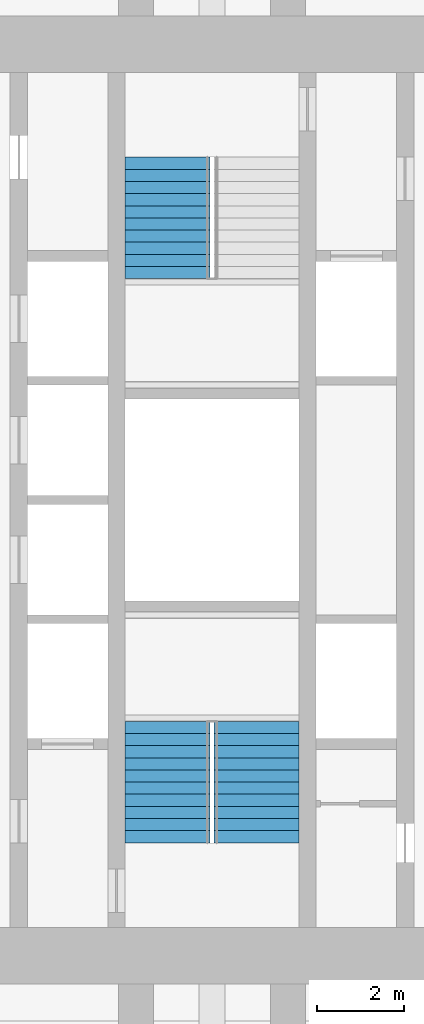
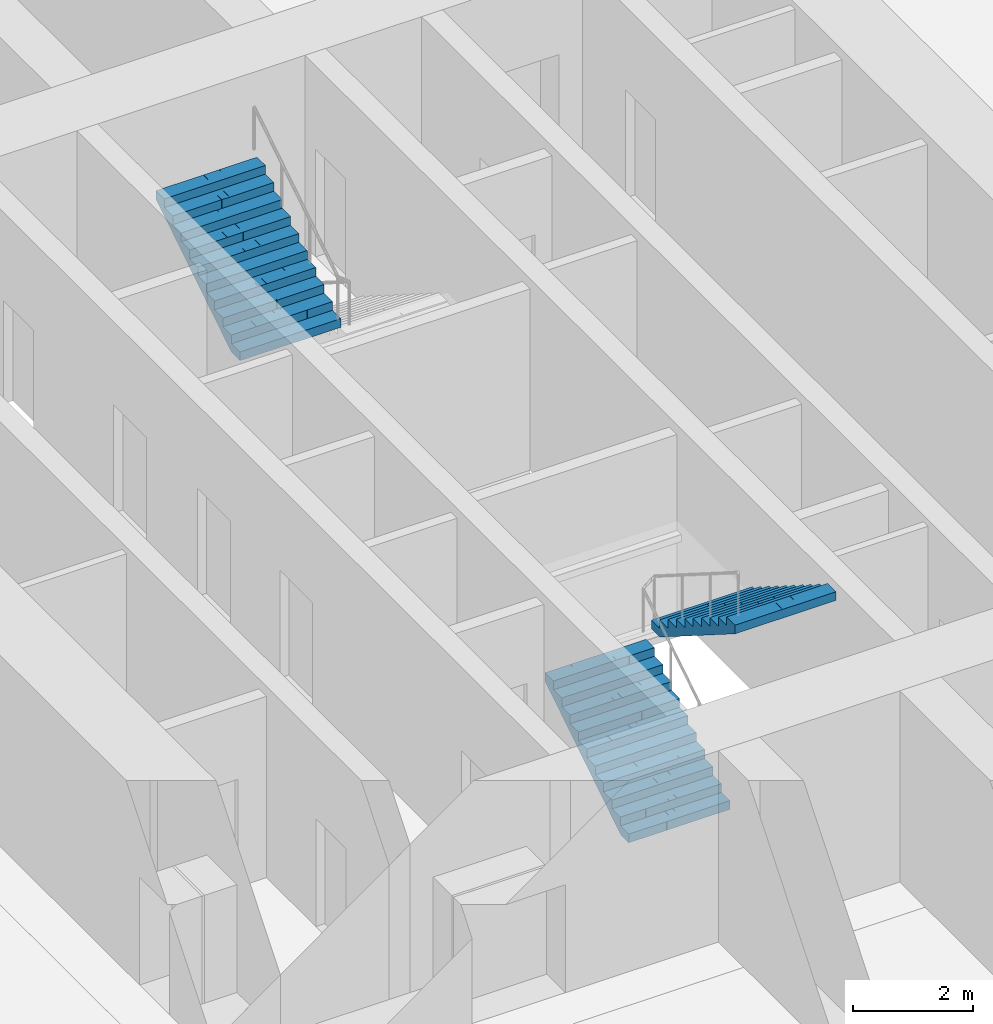
# One storey, part 18 of 20: 3 stair flights, 2 elements without a shape of their own.
"""IFC4 building model written with IfcOpenShell, lengths in metres."""

from ifc_helpers import new_model, si_unit, direction, frame, origin, place, context, subcontext, project, spatial, polyline, outline, extrude, material, type_object, element, aggregate, save


model = new_model("IFC4")

# Units and contexts
model_context = context("Model", 3, precision=1e-05, world=origin(), true_north=direction((0.0, 1.0)))
body_context = subcontext(model_context, "Body", "Model", "MODEL_VIEW")
ifc_project = project(units=[si_unit("LENGTHUNIT", "METRE"), si_unit("AREAUNIT", "SQUARE_METRE"), si_unit("VOLUMEUNIT", "CUBIC_METRE"), si_unit("PLANEANGLEUNIT", "RADIAN"), si_unit("MASSUNIT", "GRAM", prefix="KILO")], contexts=[model_context])

# Site, building, storey
site_placement = place(None, origin())
site = spatial("IfcSite", under=ifc_project, at=site_placement, CompositionType="ELEMENT")
building_placement = place(site_placement, origin())
building = spatial("IfcBuilding", under=site, at=building_placement, Name="Mizan Broadcast Tower", CompositionType="ELEMENT")
storey_placement = place(building_placement, frame((0.0, 0.0, 143.699951171875)))
storey = spatial("IfcBuildingStorey", under=building, at=storey_placement, Name="L32", CompositionType="ELEMENT", Elevation=143.699951171875)

# Stair, stair flights
ifc_material_1 = material(Name="Concrete C40/50", Category="concrete")
stair_type = type_object("IfcStairType", Name="EXIT STAIR", PredefinedType="HALF_TURN_STAIR", material=ifc_material_1)
stair_1_placement = place(storey_placement, origin())
stair_1 = element("IfcStair", 1, at=stair_1_placement, inside=storey, type_object=stair_type, Name="Stair A L32", PredefinedType="HALF_TURN_STAIR")
ifc_material_2 = material(Name="Concrete C40/50", Category="concrete")
stair_flight_type = type_object("IfcStairFlightType", Name="EXIT STAIR FLIGHT", PredefinedType="STRAIGHT", material=ifc_material_2)
stair_flight_1_placement = place(storey_placement, frame((-1.02490234375, -7.89990234375, 0.0), z_axis=(0.0, 0.0, 1.0), x_axis=(0.0, 1.0, 0.0)))
stair_flight_1 = element("IfcStairFlight", 2, at=stair_flight_1_placement, type_object=stair_flight_type, Name="A flight 1", NumberOfRisers=11, NumberOfTreads=10, PredefinedType="STRAIGHT", RiserHeight=0.177272727, TreadLength=0.28, context=body_context, shape_type="SweptSolid", body=[
    extrude(outline(polyline([(0.0, 0.0), (0.0, 0.17724609375), (0.280029296875, 0.17724609375), (0.280029296875, 0.3544921875), (0.56005859375, 0.3544921875), (0.56005859375, 0.53173828125), (0.840087890625, 0.53173828125), (0.840087890625, 0.708984375), (1.1201171875, 0.708984375), (1.1201171875, 0.886474609375), (1.39990234375, 0.886474609375), (1.39990234375, 1.063720703125), (1.679931640625, 1.063720703125), (1.679931640625, 1.240966796875), (1.9599609375, 1.240966796875), (1.9599609375, 1.418212890625), (2.239990234375, 1.418212890625), (2.239990234375, 1.595458984375), (2.52001953125, 1.595458984375), (2.52001953125, 1.772705078125), (2.800048828125, 1.772705078125), (2.800048828125, 1.949951171875), (2.800048828125, 1.59521484375), (0.2802734375, 0.0), (0.0, 0.0)])), frame((0.0, 0.97509765625, 0.0), z_axis=(0.0, -1.0, 0.0), x_axis=(1.0, 0.0, 0.0)), (0.0, 0.0, 1.0), 0.4873046875),
    extrude(outline(polyline([(0.0, 0.0), (0.0, 0.17724609375), (0.280029296875, 0.17724609375), (0.280029296875, 0.3544921875), (0.56005859375, 0.3544921875), (0.56005859375, 0.53173828125), (0.840087890625, 0.53173828125), (0.840087890625, 0.708984375), (1.1201171875, 0.708984375), (1.1201171875, 0.886474609375), (1.39990234375, 0.886474609375), (1.39990234375, 1.063720703125), (1.679931640625, 1.063720703125), (1.679931640625, 1.240966796875), (1.9599609375, 1.240966796875), (1.9599609375, 1.418212890625), (2.239990234375, 1.418212890625), (2.239990234375, 1.595458984375), (2.52001953125, 1.595458984375), (2.52001953125, 1.772705078125), (2.800048828125, 1.772705078125), (2.800048828125, 1.949951171875), (2.800048828125, 1.59521484375), (0.2802734375, 0.0), (0.0, 0.0)])), frame((0.0, 0.4873046875, 0.0), z_axis=(0.0, -1.0, 0.0), x_axis=(1.0, 0.0, 0.0)), (0.0, 0.0, 1.0), 0.2431640625),
    extrude(outline(polyline([(0.0, 0.0), (0.0, 0.17724609375), (0.280029296875, 0.17724609375), (0.280029296875, 0.3544921875), (0.56005859375, 0.3544921875), (0.56005859375, 0.53173828125), (0.840087890625, 0.53173828125), (0.840087890625, 0.708984375), (1.1201171875, 0.708984375), (1.1201171875, 0.886474609375), (1.39990234375, 0.886474609375), (1.39990234375, 1.063720703125), (1.679931640625, 1.063720703125), (1.679931640625, 1.240966796875), (1.9599609375, 1.240966796875), (1.9599609375, 1.418212890625), (2.239990234375, 1.418212890625), (2.239990234375, 1.595458984375), (2.52001953125, 1.595458984375), (2.52001953125, 1.772705078125), (2.800048828125, 1.772705078125), (2.800048828125, 1.949951171875), (2.800048828125, 1.59521484375), (0.2802734375, 0.0), (0.0, 0.0)])), frame((0.0, 0.24365234375, 0.0), z_axis=(0.0, -1.0, 0.0), x_axis=(1.0, 0.0, 0.0)), (0.0, 0.0, 1.0), 0.121337890625),
    extrude(outline(polyline([(0.0, 0.0), (0.0, 0.17724609375), (0.280029296875, 0.17724609375), (0.280029296875, 0.3544921875), (0.56005859375, 0.3544921875), (0.56005859375, 0.53173828125), (0.840087890625, 0.53173828125), (0.840087890625, 0.708984375), (1.1201171875, 0.708984375), (1.1201171875, 0.886474609375), (1.39990234375, 0.886474609375), (1.39990234375, 1.063720703125), (1.679931640625, 1.063720703125), (1.679931640625, 1.240966796875), (1.9599609375, 1.240966796875), (1.9599609375, 1.418212890625), (2.239990234375, 1.418212890625), (2.239990234375, 1.595458984375), (2.52001953125, 1.595458984375), (2.52001953125, 1.772705078125), (2.800048828125, 1.772705078125), (2.800048828125, 1.949951171875), (2.800048828125, 1.59521484375), (0.2802734375, 0.0), (0.0, 0.0)])), frame((0.0, 0.121826171875, 0.0), z_axis=(0.0, -1.0, 0.0), x_axis=(1.0, 0.0, 0.0)), (0.0, 0.0, 1.0), 0.060546875),
    extrude(outline(polyline([(0.0, 0.0), (0.0, 0.17724609375), (0.280029296875, 0.17724609375), (0.280029296875, 0.3544921875), (0.56005859375, 0.3544921875), (0.56005859375, 0.53173828125), (0.840087890625, 0.53173828125), (0.840087890625, 0.708984375), (1.1201171875, 0.708984375), (1.1201171875, 0.886474609375), (1.39990234375, 0.886474609375), (1.39990234375, 1.063720703125), (1.679931640625, 1.063720703125), (1.679931640625, 1.240966796875), (1.9599609375, 1.240966796875), (1.9599609375, 1.418212890625), (2.239990234375, 1.418212890625), (2.239990234375, 1.595458984375), (2.52001953125, 1.595458984375), (2.52001953125, 1.772705078125), (2.800048828125, 1.772705078125), (2.800048828125, 1.949951171875), (2.800048828125, 1.59521484375), (0.2802734375, 0.0), (0.0, 0.0)])), frame((0.0, 0.060791015625, 0.0), z_axis=(0.0, -1.0, 0.0), x_axis=(1.0, 0.0, 0.0)), (0.0, 0.0, 1.0), 0.030029296875),
    extrude(outline(polyline([(0.0, 0.0), (0.0, 0.17724609375), (0.280029296875, 0.17724609375), (0.280029296875, 0.3544921875), (0.56005859375, 0.3544921875), (0.56005859375, 0.53173828125), (0.840087890625, 0.53173828125), (0.840087890625, 0.708984375), (1.1201171875, 0.708984375), (1.1201171875, 0.886474609375), (1.39990234375, 0.886474609375), (1.39990234375, 1.063720703125), (1.679931640625, 1.063720703125), (1.679931640625, 1.240966796875), (1.9599609375, 1.240966796875), (1.9599609375, 1.418212890625), (2.239990234375, 1.418212890625), (2.239990234375, 1.595458984375), (2.52001953125, 1.595458984375), (2.52001953125, 1.772705078125), (2.800048828125, 1.772705078125), (2.800048828125, 1.949951171875), (2.800048828125, 1.59521484375), (0.2802734375, 0.0), (0.0, 0.0)])), frame((0.0, 0.0302734375, 0.0), z_axis=(0.0, -1.0, 0.0), x_axis=(1.0, 0.0, 0.0)), (0.0, 0.0, 1.0), 0.060302734375),
    extrude(outline(polyline([(0.0, 0.0), (0.0, 0.17724609375), (0.280029296875, 0.17724609375), (0.280029296875, 0.3544921875), (0.56005859375, 0.3544921875), (0.56005859375, 0.53173828125), (0.840087890625, 0.53173828125), (0.840087890625, 0.708984375), (1.1201171875, 0.708984375), (1.1201171875, 0.886474609375), (1.39990234375, 0.886474609375), (1.39990234375, 1.063720703125), (1.679931640625, 1.063720703125), (1.679931640625, 1.240966796875), (1.9599609375, 1.240966796875), (1.9599609375, 1.418212890625), (2.239990234375, 1.418212890625), (2.239990234375, 1.595458984375), (2.52001953125, 1.595458984375), (2.52001953125, 1.772705078125), (2.800048828125, 1.772705078125), (2.800048828125, 1.949951171875), (2.800048828125, 1.59521484375), (0.2802734375, 0.0), (0.0, 0.0)])), frame((0.0, -0.030517578125, 0.0), z_axis=(0.0, -1.0, 0.0), x_axis=(1.0, 0.0, 0.0)), (0.0, 0.0, 1.0), 0.030029296875),
    extrude(outline(polyline([(0.0, 0.0), (0.0, 0.17724609375), (0.280029296875, 0.17724609375), (0.280029296875, 0.3544921875), (0.56005859375, 0.3544921875), (0.56005859375, 0.53173828125), (0.840087890625, 0.53173828125), (0.840087890625, 0.708984375), (1.1201171875, 0.708984375), (1.1201171875, 0.886474609375), (1.39990234375, 0.886474609375), (1.39990234375, 1.063720703125), (1.679931640625, 1.063720703125), (1.679931640625, 1.240966796875), (1.9599609375, 1.240966796875), (1.9599609375, 1.418212890625), (2.239990234375, 1.418212890625), (2.239990234375, 1.595458984375), (2.52001953125, 1.595458984375), (2.52001953125, 1.772705078125), (2.800048828125, 1.772705078125), (2.800048828125, 1.949951171875), (2.800048828125, 1.59521484375), (0.2802734375, 0.0), (0.0, 0.0)])), frame((0.0, -0.06103515625, 0.0), z_axis=(0.0, -1.0, 0.0), x_axis=(1.0, 0.0, 0.0)), (0.0, 0.0, 1.0), 0.060546875),
    extrude(outline(polyline([(0.0, 0.0), (0.0, 0.17724609375), (0.280029296875, 0.17724609375), (0.280029296875, 0.3544921875), (0.56005859375, 0.3544921875), (0.56005859375, 0.53173828125), (0.840087890625, 0.53173828125), (0.840087890625, 0.708984375), (1.1201171875, 0.708984375), (1.1201171875, 0.886474609375), (1.39990234375, 0.886474609375), (1.39990234375, 1.063720703125), (1.679931640625, 1.063720703125), (1.679931640625, 1.240966796875), (1.9599609375, 1.240966796875), (1.9599609375, 1.418212890625), (2.239990234375, 1.418212890625), (2.239990234375, 1.595458984375), (2.52001953125, 1.595458984375), (2.52001953125, 1.772705078125), (2.800048828125, 1.772705078125), (2.800048828125, 1.949951171875), (2.800048828125, 1.59521484375), (0.2802734375, 0.0), (0.0, 0.0)])), frame((0.0, -0.1220703125, 0.0), z_axis=(0.0, -1.0, 0.0), x_axis=(1.0, 0.0, 0.0)), (0.0, 0.0, 1.0), 0.121337890625),
    extrude(outline(polyline([(0.0, 0.0), (0.0, 0.17724609375), (0.280029296875, 0.17724609375), (0.280029296875, 0.3544921875), (0.56005859375, 0.3544921875), (0.56005859375, 0.53173828125), (0.840087890625, 0.53173828125), (0.840087890625, 0.708984375), (1.1201171875, 0.708984375), (1.1201171875, 0.886474609375), (1.39990234375, 0.886474609375), (1.39990234375, 1.063720703125), (1.679931640625, 1.063720703125), (1.679931640625, 1.240966796875), (1.9599609375, 1.240966796875), (1.9599609375, 1.418212890625), (2.239990234375, 1.418212890625), (2.239990234375, 1.595458984375), (2.52001953125, 1.595458984375), (2.52001953125, 1.772705078125), (2.800048828125, 1.772705078125), (2.800048828125, 1.949951171875), (2.800048828125, 1.59521484375), (0.2802734375, 0.0), (0.0, 0.0)])), frame((0.0, -0.243896484375, 0.0), z_axis=(0.0, -1.0, 0.0), x_axis=(1.0, 0.0, 0.0)), (0.0, 0.0, 1.0), 0.2431640625),
    extrude(outline(polyline([(0.0, 0.0), (0.0, 0.17724609375), (0.280029296875, 0.17724609375), (0.280029296875, 0.3544921875), (0.56005859375, 0.3544921875), (0.56005859375, 0.53173828125), (0.840087890625, 0.53173828125), (0.840087890625, 0.708984375), (1.1201171875, 0.708984375), (1.1201171875, 0.886474609375), (1.39990234375, 0.886474609375), (1.39990234375, 1.063720703125), (1.679931640625, 1.063720703125), (1.679931640625, 1.240966796875), (1.9599609375, 1.240966796875), (1.9599609375, 1.418212890625), (2.239990234375, 1.418212890625), (2.239990234375, 1.595458984375), (2.52001953125, 1.595458984375), (2.52001953125, 1.772705078125), (2.800048828125, 1.772705078125), (2.800048828125, 1.949951171875), (2.800048828125, 1.59521484375), (0.2802734375, 0.0), (0.0, 0.0)])), frame((0.0, -0.487548828125, 0.0), z_axis=(0.0, -1.0, 0.0), x_axis=(1.0, 0.0, 0.0)), (0.0, 0.0, 1.0), 0.4873046875),
])
stair_flight_2_placement = place(storey_placement, frame((1.02490234375, -5.10009765625, 1.949951171875), z_axis=(0.0, 0.0, 1.0), x_axis=(0.0, -1.0, 0.0)))
stair_flight_2 = element("IfcStairFlight", 3, at=stair_flight_2_placement, type_object=stair_flight_type, Name="A flight 2", NumberOfRisers=11, NumberOfTreads=10, PredefinedType="STRAIGHT", RiserHeight=0.177272727, TreadLength=0.28, context=body_context, shape_type="SweptSolid", body=[
    extrude(outline(polyline([(0.0, 0.0), (0.0, 0.17724609375), (0.280029296875, 0.17724609375), (0.280029296875, 0.3544921875), (0.56005859375, 0.3544921875), (0.56005859375, 0.53173828125), (0.840087890625, 0.53173828125), (0.840087890625, 0.708984375), (1.1201171875, 0.708984375), (1.1201171875, 0.886474609375), (1.39990234375, 0.886474609375), (1.39990234375, 1.063720703125), (1.679931640625, 1.063720703125), (1.679931640625, 1.240966796875), (1.9599609375, 1.240966796875), (1.9599609375, 1.418212890625), (2.239990234375, 1.418212890625), (2.239990234375, 1.595458984375), (2.52001953125, 1.595458984375), (2.52001953125, 1.772705078125), (2.800048828125, 1.772705078125), (2.800048828125, 1.949951171875), (2.800048828125, 1.59521484375), (0.2802734375, 0.0), (0.0, 0.0)])), frame((0.0, 0.97509765625, 0.0), z_axis=(0.0, -1.0, 0.0), x_axis=(1.0, 0.0, 0.0)), (0.0, 0.0, 1.0), 0.4873046875),
    extrude(outline(polyline([(0.0, 0.0), (0.0, 0.17724609375), (0.280029296875, 0.17724609375), (0.280029296875, 0.3544921875), (0.56005859375, 0.3544921875), (0.56005859375, 0.53173828125), (0.840087890625, 0.53173828125), (0.840087890625, 0.708984375), (1.1201171875, 0.708984375), (1.1201171875, 0.886474609375), (1.39990234375, 0.886474609375), (1.39990234375, 1.063720703125), (1.679931640625, 1.063720703125), (1.679931640625, 1.240966796875), (1.9599609375, 1.240966796875), (1.9599609375, 1.418212890625), (2.239990234375, 1.418212890625), (2.239990234375, 1.595458984375), (2.52001953125, 1.595458984375), (2.52001953125, 1.772705078125), (2.800048828125, 1.772705078125), (2.800048828125, 1.949951171875), (2.800048828125, 1.59521484375), (0.2802734375, 0.0), (0.0, 0.0)])), frame((0.0, 0.4873046875, 0.0), z_axis=(0.0, -1.0, 0.0), x_axis=(1.0, 0.0, 0.0)), (0.0, 0.0, 1.0), 0.2431640625),
    extrude(outline(polyline([(0.0, 0.0), (0.0, 0.17724609375), (0.280029296875, 0.17724609375), (0.280029296875, 0.3544921875), (0.56005859375, 0.3544921875), (0.56005859375, 0.53173828125), (0.840087890625, 0.53173828125), (0.840087890625, 0.708984375), (1.1201171875, 0.708984375), (1.1201171875, 0.886474609375), (1.39990234375, 0.886474609375), (1.39990234375, 1.063720703125), (1.679931640625, 1.063720703125), (1.679931640625, 1.240966796875), (1.9599609375, 1.240966796875), (1.9599609375, 1.418212890625), (2.239990234375, 1.418212890625), (2.239990234375, 1.595458984375), (2.52001953125, 1.595458984375), (2.52001953125, 1.772705078125), (2.800048828125, 1.772705078125), (2.800048828125, 1.949951171875), (2.800048828125, 1.59521484375), (0.2802734375, 0.0), (0.0, 0.0)])), frame((0.0, 0.24365234375, 0.0), z_axis=(0.0, -1.0, 0.0), x_axis=(1.0, 0.0, 0.0)), (0.0, 0.0, 1.0), 0.121337890625),
    extrude(outline(polyline([(0.0, 0.0), (0.0, 0.17724609375), (0.280029296875, 0.17724609375), (0.280029296875, 0.3544921875), (0.56005859375, 0.3544921875), (0.56005859375, 0.53173828125), (0.840087890625, 0.53173828125), (0.840087890625, 0.708984375), (1.1201171875, 0.708984375), (1.1201171875, 0.886474609375), (1.39990234375, 0.886474609375), (1.39990234375, 1.063720703125), (1.679931640625, 1.063720703125), (1.679931640625, 1.240966796875), (1.9599609375, 1.240966796875), (1.9599609375, 1.418212890625), (2.239990234375, 1.418212890625), (2.239990234375, 1.595458984375), (2.52001953125, 1.595458984375), (2.52001953125, 1.772705078125), (2.800048828125, 1.772705078125), (2.800048828125, 1.949951171875), (2.800048828125, 1.59521484375), (0.2802734375, 0.0), (0.0, 0.0)])), frame((0.0, 0.121826171875, 0.0), z_axis=(0.0, -1.0, 0.0), x_axis=(1.0, 0.0, 0.0)), (0.0, 0.0, 1.0), 0.060546875),
    extrude(outline(polyline([(0.0, 0.0), (0.0, 0.17724609375), (0.280029296875, 0.17724609375), (0.280029296875, 0.3544921875), (0.56005859375, 0.3544921875), (0.56005859375, 0.53173828125), (0.840087890625, 0.53173828125), (0.840087890625, 0.708984375), (1.1201171875, 0.708984375), (1.1201171875, 0.886474609375), (1.39990234375, 0.886474609375), (1.39990234375, 1.063720703125), (1.679931640625, 1.063720703125), (1.679931640625, 1.240966796875), (1.9599609375, 1.240966796875), (1.9599609375, 1.418212890625), (2.239990234375, 1.418212890625), (2.239990234375, 1.595458984375), (2.52001953125, 1.595458984375), (2.52001953125, 1.772705078125), (2.800048828125, 1.772705078125), (2.800048828125, 1.949951171875), (2.800048828125, 1.59521484375), (0.2802734375, 0.0), (0.0, 0.0)])), frame((0.0, 0.060791015625, 0.0), z_axis=(0.0, -1.0, 0.0), x_axis=(1.0, 0.0, 0.0)), (0.0, 0.0, 1.0), 0.030029296875),
    extrude(outline(polyline([(0.0, 0.0), (0.0, 0.17724609375), (0.280029296875, 0.17724609375), (0.280029296875, 0.3544921875), (0.56005859375, 0.3544921875), (0.56005859375, 0.53173828125), (0.840087890625, 0.53173828125), (0.840087890625, 0.708984375), (1.1201171875, 0.708984375), (1.1201171875, 0.886474609375), (1.39990234375, 0.886474609375), (1.39990234375, 1.063720703125), (1.679931640625, 1.063720703125), (1.679931640625, 1.240966796875), (1.9599609375, 1.240966796875), (1.9599609375, 1.418212890625), (2.239990234375, 1.418212890625), (2.239990234375, 1.595458984375), (2.52001953125, 1.595458984375), (2.52001953125, 1.772705078125), (2.800048828125, 1.772705078125), (2.800048828125, 1.949951171875), (2.800048828125, 1.59521484375), (0.2802734375, 0.0), (0.0, 0.0)])), frame((0.0, 0.0302734375, 0.0), z_axis=(0.0, -1.0, 0.0), x_axis=(1.0, 0.0, 0.0)), (0.0, 0.0, 1.0), 0.060302734375),
    extrude(outline(polyline([(0.0, 0.0), (0.0, 0.17724609375), (0.280029296875, 0.17724609375), (0.280029296875, 0.3544921875), (0.56005859375, 0.3544921875), (0.56005859375, 0.53173828125), (0.840087890625, 0.53173828125), (0.840087890625, 0.708984375), (1.1201171875, 0.708984375), (1.1201171875, 0.886474609375), (1.39990234375, 0.886474609375), (1.39990234375, 1.063720703125), (1.679931640625, 1.063720703125), (1.679931640625, 1.240966796875), (1.9599609375, 1.240966796875), (1.9599609375, 1.418212890625), (2.239990234375, 1.418212890625), (2.239990234375, 1.595458984375), (2.52001953125, 1.595458984375), (2.52001953125, 1.772705078125), (2.800048828125, 1.772705078125), (2.800048828125, 1.949951171875), (2.800048828125, 1.59521484375), (0.2802734375, 0.0), (0.0, 0.0)])), frame((0.0, -0.030517578125, 0.0), z_axis=(0.0, -1.0, 0.0), x_axis=(1.0, 0.0, 0.0)), (0.0, 0.0, 1.0), 0.030029296875),
    extrude(outline(polyline([(0.0, 0.0), (0.0, 0.17724609375), (0.280029296875, 0.17724609375), (0.280029296875, 0.3544921875), (0.56005859375, 0.3544921875), (0.56005859375, 0.53173828125), (0.840087890625, 0.53173828125), (0.840087890625, 0.708984375), (1.1201171875, 0.708984375), (1.1201171875, 0.886474609375), (1.39990234375, 0.886474609375), (1.39990234375, 1.063720703125), (1.679931640625, 1.063720703125), (1.679931640625, 1.240966796875), (1.9599609375, 1.240966796875), (1.9599609375, 1.418212890625), (2.239990234375, 1.418212890625), (2.239990234375, 1.595458984375), (2.52001953125, 1.595458984375), (2.52001953125, 1.772705078125), (2.800048828125, 1.772705078125), (2.800048828125, 1.949951171875), (2.800048828125, 1.59521484375), (0.2802734375, 0.0), (0.0, 0.0)])), frame((0.0, -0.06103515625, 0.0), z_axis=(0.0, -1.0, 0.0), x_axis=(1.0, 0.0, 0.0)), (0.0, 0.0, 1.0), 0.060546875),
    extrude(outline(polyline([(0.0, 0.0), (0.0, 0.17724609375), (0.280029296875, 0.17724609375), (0.280029296875, 0.3544921875), (0.56005859375, 0.3544921875), (0.56005859375, 0.53173828125), (0.840087890625, 0.53173828125), (0.840087890625, 0.708984375), (1.1201171875, 0.708984375), (1.1201171875, 0.886474609375), (1.39990234375, 0.886474609375), (1.39990234375, 1.063720703125), (1.679931640625, 1.063720703125), (1.679931640625, 1.240966796875), (1.9599609375, 1.240966796875), (1.9599609375, 1.418212890625), (2.239990234375, 1.418212890625), (2.239990234375, 1.595458984375), (2.52001953125, 1.595458984375), (2.52001953125, 1.772705078125), (2.800048828125, 1.772705078125), (2.800048828125, 1.949951171875), (2.800048828125, 1.59521484375), (0.2802734375, 0.0), (0.0, 0.0)])), frame((0.0, -0.1220703125, 0.0), z_axis=(0.0, -1.0, 0.0), x_axis=(1.0, 0.0, 0.0)), (0.0, 0.0, 1.0), 0.121337890625),
    extrude(outline(polyline([(0.0, 0.0), (0.0, 0.17724609375), (0.280029296875, 0.17724609375), (0.280029296875, 0.3544921875), (0.56005859375, 0.3544921875), (0.56005859375, 0.53173828125), (0.840087890625, 0.53173828125), (0.840087890625, 0.708984375), (1.1201171875, 0.708984375), (1.1201171875, 0.886474609375), (1.39990234375, 0.886474609375), (1.39990234375, 1.063720703125), (1.679931640625, 1.063720703125), (1.679931640625, 1.240966796875), (1.9599609375, 1.240966796875), (1.9599609375, 1.418212890625), (2.239990234375, 1.418212890625), (2.239990234375, 1.595458984375), (2.52001953125, 1.595458984375), (2.52001953125, 1.772705078125), (2.800048828125, 1.772705078125), (2.800048828125, 1.949951171875), (2.800048828125, 1.59521484375), (0.2802734375, 0.0), (0.0, 0.0)])), frame((0.0, -0.243896484375, 0.0), z_axis=(0.0, -1.0, 0.0), x_axis=(1.0, 0.0, 0.0)), (0.0, 0.0, 1.0), 0.2431640625),
    extrude(outline(polyline([(0.0, 0.0), (0.0, 0.17724609375), (0.280029296875, 0.17724609375), (0.280029296875, 0.3544921875), (0.56005859375, 0.3544921875), (0.56005859375, 0.53173828125), (0.840087890625, 0.53173828125), (0.840087890625, 0.708984375), (1.1201171875, 0.708984375), (1.1201171875, 0.886474609375), (1.39990234375, 0.886474609375), (1.39990234375, 1.063720703125), (1.679931640625, 1.063720703125), (1.679931640625, 1.240966796875), (1.9599609375, 1.240966796875), (1.9599609375, 1.418212890625), (2.239990234375, 1.418212890625), (2.239990234375, 1.595458984375), (2.52001953125, 1.595458984375), (2.52001953125, 1.772705078125), (2.800048828125, 1.772705078125), (2.800048828125, 1.949951171875), (2.800048828125, 1.59521484375), (0.2802734375, 0.0), (0.0, 0.0)])), frame((0.0, -0.487548828125, 0.0), z_axis=(0.0, -1.0, 0.0), x_axis=(1.0, 0.0, 0.0)), (0.0, 0.0, 1.0), 0.4873046875),
])
aggregate(stair_1, [stair_flight_1, stair_flight_2])

# Stair, stair flight
stair_2_placement = place(storey_placement, origin())
stair_2 = element("IfcStair", 4, at=stair_2_placement, inside=storey, type_object=stair_type, Name="Stair B L32", PredefinedType="HALF_TURN_STAIR")
stair_flight_3_placement = place(storey_placement, frame((-1.02490234375, 5.10009765625, 1.949951171875), z_axis=(0.0, 0.0, 1.0), x_axis=(0.0, 1.0, 0.0)))
stair_flight_3 = element("IfcStairFlight", 5, at=stair_flight_3_placement, type_object=stair_flight_type, Name="B flight 2", NumberOfRisers=11, NumberOfTreads=10, PredefinedType="STRAIGHT", RiserHeight=0.177272727, TreadLength=0.28, context=body_context, shape_type="SweptSolid", body=[
    extrude(outline(polyline([(0.0, 0.0), (0.0, 0.17724609375), (0.280029296875, 0.17724609375), (0.280029296875, 0.3544921875), (0.56005859375, 0.3544921875), (0.56005859375, 0.53173828125), (0.840087890625, 0.53173828125), (0.840087890625, 0.708984375), (1.1201171875, 0.708984375), (1.1201171875, 0.886474609375), (1.39990234375, 0.886474609375), (1.39990234375, 1.063720703125), (1.679931640625, 1.063720703125), (1.679931640625, 1.240966796875), (1.9599609375, 1.240966796875), (1.9599609375, 1.418212890625), (2.239990234375, 1.418212890625), (2.239990234375, 1.595458984375), (2.52001953125, 1.595458984375), (2.52001953125, 1.772705078125), (2.800048828125, 1.772705078125), (2.800048828125, 1.949951171875), (2.800048828125, 1.59521484375), (0.2802734375, 0.0), (0.0, 0.0)])), frame((0.0, 0.97509765625, 0.0), z_axis=(0.0, -1.0, 0.0), x_axis=(1.0, 0.0, 0.0)), (0.0, 0.0, 1.0), 0.4873046875),
    extrude(outline(polyline([(0.0, 0.0), (0.0, 0.17724609375), (0.280029296875, 0.17724609375), (0.280029296875, 0.3544921875), (0.56005859375, 0.3544921875), (0.56005859375, 0.53173828125), (0.840087890625, 0.53173828125), (0.840087890625, 0.708984375), (1.1201171875, 0.708984375), (1.1201171875, 0.886474609375), (1.39990234375, 0.886474609375), (1.39990234375, 1.063720703125), (1.679931640625, 1.063720703125), (1.679931640625, 1.240966796875), (1.9599609375, 1.240966796875), (1.9599609375, 1.418212890625), (2.239990234375, 1.418212890625), (2.239990234375, 1.595458984375), (2.52001953125, 1.595458984375), (2.52001953125, 1.772705078125), (2.800048828125, 1.772705078125), (2.800048828125, 1.949951171875), (2.800048828125, 1.59521484375), (0.2802734375, 0.0), (0.0, 0.0)])), frame((0.0, 0.4873046875, 0.0), z_axis=(0.0, -1.0, 0.0), x_axis=(1.0, 0.0, 0.0)), (0.0, 0.0, 1.0), 0.2431640625),
    extrude(outline(polyline([(0.0, 0.0), (0.0, 0.17724609375), (0.280029296875, 0.17724609375), (0.280029296875, 0.3544921875), (0.56005859375, 0.3544921875), (0.56005859375, 0.53173828125), (0.840087890625, 0.53173828125), (0.840087890625, 0.708984375), (1.1201171875, 0.708984375), (1.1201171875, 0.886474609375), (1.39990234375, 0.886474609375), (1.39990234375, 1.063720703125), (1.679931640625, 1.063720703125), (1.679931640625, 1.240966796875), (1.9599609375, 1.240966796875), (1.9599609375, 1.418212890625), (2.239990234375, 1.418212890625), (2.239990234375, 1.595458984375), (2.52001953125, 1.595458984375), (2.52001953125, 1.772705078125), (2.800048828125, 1.772705078125), (2.800048828125, 1.949951171875), (2.800048828125, 1.59521484375), (0.2802734375, 0.0), (0.0, 0.0)])), frame((0.0, 0.24365234375, 0.0), z_axis=(0.0, -1.0, 0.0), x_axis=(1.0, 0.0, 0.0)), (0.0, 0.0, 1.0), 0.121337890625),
    extrude(outline(polyline([(0.0, 0.0), (0.0, 0.17724609375), (0.280029296875, 0.17724609375), (0.280029296875, 0.3544921875), (0.56005859375, 0.3544921875), (0.56005859375, 0.53173828125), (0.840087890625, 0.53173828125), (0.840087890625, 0.708984375), (1.1201171875, 0.708984375), (1.1201171875, 0.886474609375), (1.39990234375, 0.886474609375), (1.39990234375, 1.063720703125), (1.679931640625, 1.063720703125), (1.679931640625, 1.240966796875), (1.9599609375, 1.240966796875), (1.9599609375, 1.418212890625), (2.239990234375, 1.418212890625), (2.239990234375, 1.595458984375), (2.52001953125, 1.595458984375), (2.52001953125, 1.772705078125), (2.800048828125, 1.772705078125), (2.800048828125, 1.949951171875), (2.800048828125, 1.59521484375), (0.2802734375, 0.0), (0.0, 0.0)])), frame((0.0, 0.121826171875, 0.0), z_axis=(0.0, -1.0, 0.0), x_axis=(1.0, 0.0, 0.0)), (0.0, 0.0, 1.0), 0.060546875),
    extrude(outline(polyline([(0.0, 0.0), (0.0, 0.17724609375), (0.280029296875, 0.17724609375), (0.280029296875, 0.3544921875), (0.56005859375, 0.3544921875), (0.56005859375, 0.53173828125), (0.840087890625, 0.53173828125), (0.840087890625, 0.708984375), (1.1201171875, 0.708984375), (1.1201171875, 0.886474609375), (1.39990234375, 0.886474609375), (1.39990234375, 1.063720703125), (1.679931640625, 1.063720703125), (1.679931640625, 1.240966796875), (1.9599609375, 1.240966796875), (1.9599609375, 1.418212890625), (2.239990234375, 1.418212890625), (2.239990234375, 1.595458984375), (2.52001953125, 1.595458984375), (2.52001953125, 1.772705078125), (2.800048828125, 1.772705078125), (2.800048828125, 1.949951171875), (2.800048828125, 1.59521484375), (0.2802734375, 0.0), (0.0, 0.0)])), frame((0.0, 0.060791015625, 0.0), z_axis=(0.0, -1.0, 0.0), x_axis=(1.0, 0.0, 0.0)), (0.0, 0.0, 1.0), 0.030029296875),
    extrude(outline(polyline([(0.0, 0.0), (0.0, 0.17724609375), (0.280029296875, 0.17724609375), (0.280029296875, 0.3544921875), (0.56005859375, 0.3544921875), (0.56005859375, 0.53173828125), (0.840087890625, 0.53173828125), (0.840087890625, 0.708984375), (1.1201171875, 0.708984375), (1.1201171875, 0.886474609375), (1.39990234375, 0.886474609375), (1.39990234375, 1.063720703125), (1.679931640625, 1.063720703125), (1.679931640625, 1.240966796875), (1.9599609375, 1.240966796875), (1.9599609375, 1.418212890625), (2.239990234375, 1.418212890625), (2.239990234375, 1.595458984375), (2.52001953125, 1.595458984375), (2.52001953125, 1.772705078125), (2.800048828125, 1.772705078125), (2.800048828125, 1.949951171875), (2.800048828125, 1.59521484375), (0.2802734375, 0.0), (0.0, 0.0)])), frame((0.0, 0.0302734375, 0.0), z_axis=(0.0, -1.0, 0.0), x_axis=(1.0, 0.0, 0.0)), (0.0, 0.0, 1.0), 0.060302734375),
    extrude(outline(polyline([(0.0, 0.0), (0.0, 0.17724609375), (0.280029296875, 0.17724609375), (0.280029296875, 0.3544921875), (0.56005859375, 0.3544921875), (0.56005859375, 0.53173828125), (0.840087890625, 0.53173828125), (0.840087890625, 0.708984375), (1.1201171875, 0.708984375), (1.1201171875, 0.886474609375), (1.39990234375, 0.886474609375), (1.39990234375, 1.063720703125), (1.679931640625, 1.063720703125), (1.679931640625, 1.240966796875), (1.9599609375, 1.240966796875), (1.9599609375, 1.418212890625), (2.239990234375, 1.418212890625), (2.239990234375, 1.595458984375), (2.52001953125, 1.595458984375), (2.52001953125, 1.772705078125), (2.800048828125, 1.772705078125), (2.800048828125, 1.949951171875), (2.800048828125, 1.59521484375), (0.2802734375, 0.0), (0.0, 0.0)])), frame((0.0, -0.030517578125, 0.0), z_axis=(0.0, -1.0, 0.0), x_axis=(1.0, 0.0, 0.0)), (0.0, 0.0, 1.0), 0.030029296875),
    extrude(outline(polyline([(0.0, 0.0), (0.0, 0.17724609375), (0.280029296875, 0.17724609375), (0.280029296875, 0.3544921875), (0.56005859375, 0.3544921875), (0.56005859375, 0.53173828125), (0.840087890625, 0.53173828125), (0.840087890625, 0.708984375), (1.1201171875, 0.708984375), (1.1201171875, 0.886474609375), (1.39990234375, 0.886474609375), (1.39990234375, 1.063720703125), (1.679931640625, 1.063720703125), (1.679931640625, 1.240966796875), (1.9599609375, 1.240966796875), (1.9599609375, 1.418212890625), (2.239990234375, 1.418212890625), (2.239990234375, 1.595458984375), (2.52001953125, 1.595458984375), (2.52001953125, 1.772705078125), (2.800048828125, 1.772705078125), (2.800048828125, 1.949951171875), (2.800048828125, 1.59521484375), (0.2802734375, 0.0), (0.0, 0.0)])), frame((0.0, -0.06103515625, 0.0), z_axis=(0.0, -1.0, 0.0), x_axis=(1.0, 0.0, 0.0)), (0.0, 0.0, 1.0), 0.060546875),
    extrude(outline(polyline([(0.0, 0.0), (0.0, 0.17724609375), (0.280029296875, 0.17724609375), (0.280029296875, 0.3544921875), (0.56005859375, 0.3544921875), (0.56005859375, 0.53173828125), (0.840087890625, 0.53173828125), (0.840087890625, 0.708984375), (1.1201171875, 0.708984375), (1.1201171875, 0.886474609375), (1.39990234375, 0.886474609375), (1.39990234375, 1.063720703125), (1.679931640625, 1.063720703125), (1.679931640625, 1.240966796875), (1.9599609375, 1.240966796875), (1.9599609375, 1.418212890625), (2.239990234375, 1.418212890625), (2.239990234375, 1.595458984375), (2.52001953125, 1.595458984375), (2.52001953125, 1.772705078125), (2.800048828125, 1.772705078125), (2.800048828125, 1.949951171875), (2.800048828125, 1.59521484375), (0.2802734375, 0.0), (0.0, 0.0)])), frame((0.0, -0.1220703125, 0.0), z_axis=(0.0, -1.0, 0.0), x_axis=(1.0, 0.0, 0.0)), (0.0, 0.0, 1.0), 0.121337890625),
    extrude(outline(polyline([(0.0, 0.0), (0.0, 0.17724609375), (0.280029296875, 0.17724609375), (0.280029296875, 0.3544921875), (0.56005859375, 0.3544921875), (0.56005859375, 0.53173828125), (0.840087890625, 0.53173828125), (0.840087890625, 0.708984375), (1.1201171875, 0.708984375), (1.1201171875, 0.886474609375), (1.39990234375, 0.886474609375), (1.39990234375, 1.063720703125), (1.679931640625, 1.063720703125), (1.679931640625, 1.240966796875), (1.9599609375, 1.240966796875), (1.9599609375, 1.418212890625), (2.239990234375, 1.418212890625), (2.239990234375, 1.595458984375), (2.52001953125, 1.595458984375), (2.52001953125, 1.772705078125), (2.800048828125, 1.772705078125), (2.800048828125, 1.949951171875), (2.800048828125, 1.59521484375), (0.2802734375, 0.0), (0.0, 0.0)])), frame((0.0, -0.243896484375, 0.0), z_axis=(0.0, -1.0, 0.0), x_axis=(1.0, 0.0, 0.0)), (0.0, 0.0, 1.0), 0.2431640625),
    extrude(outline(polyline([(0.0, 0.0), (0.0, 0.17724609375), (0.280029296875, 0.17724609375), (0.280029296875, 0.3544921875), (0.56005859375, 0.3544921875), (0.56005859375, 0.53173828125), (0.840087890625, 0.53173828125), (0.840087890625, 0.708984375), (1.1201171875, 0.708984375), (1.1201171875, 0.886474609375), (1.39990234375, 0.886474609375), (1.39990234375, 1.063720703125), (1.679931640625, 1.063720703125), (1.679931640625, 1.240966796875), (1.9599609375, 1.240966796875), (1.9599609375, 1.418212890625), (2.239990234375, 1.418212890625), (2.239990234375, 1.595458984375), (2.52001953125, 1.595458984375), (2.52001953125, 1.772705078125), (2.800048828125, 1.772705078125), (2.800048828125, 1.949951171875), (2.800048828125, 1.59521484375), (0.2802734375, 0.0), (0.0, 0.0)])), frame((0.0, -0.487548828125, 0.0), z_axis=(0.0, -1.0, 0.0), x_axis=(1.0, 0.0, 0.0)), (0.0, 0.0, 1.0), 0.4873046875),
])
aggregate(stair_2, [stair_flight_3])

save(model, "model.ifc")
